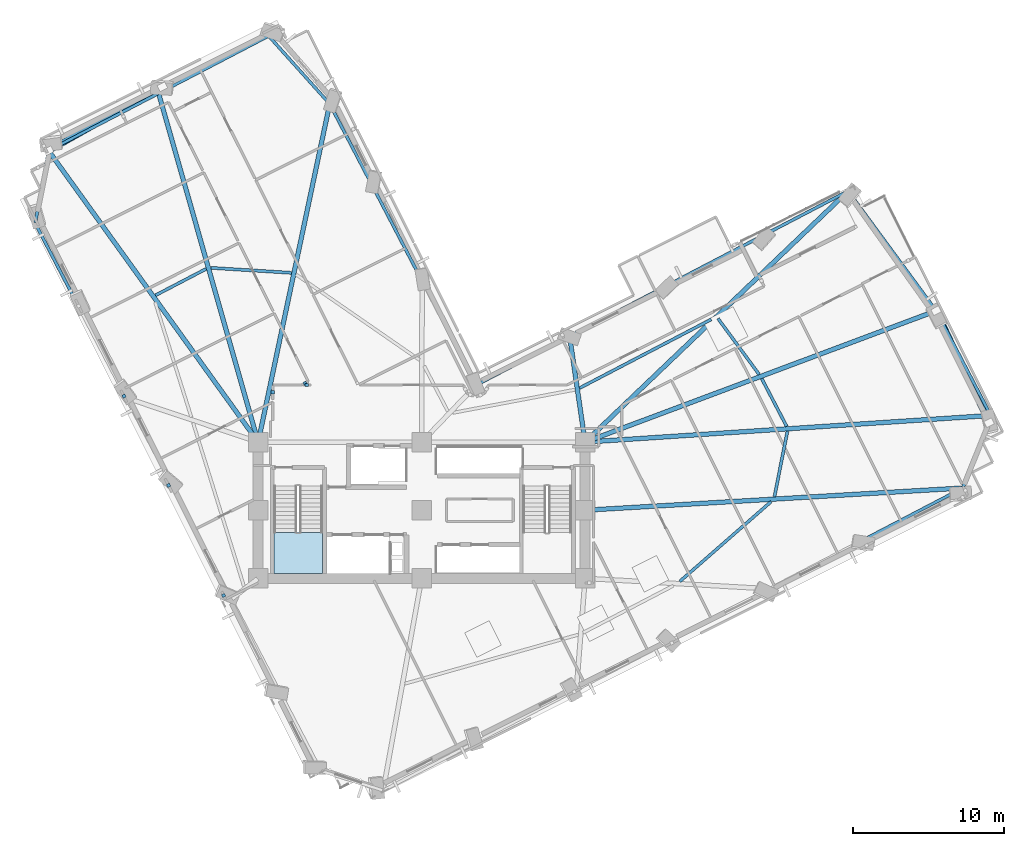
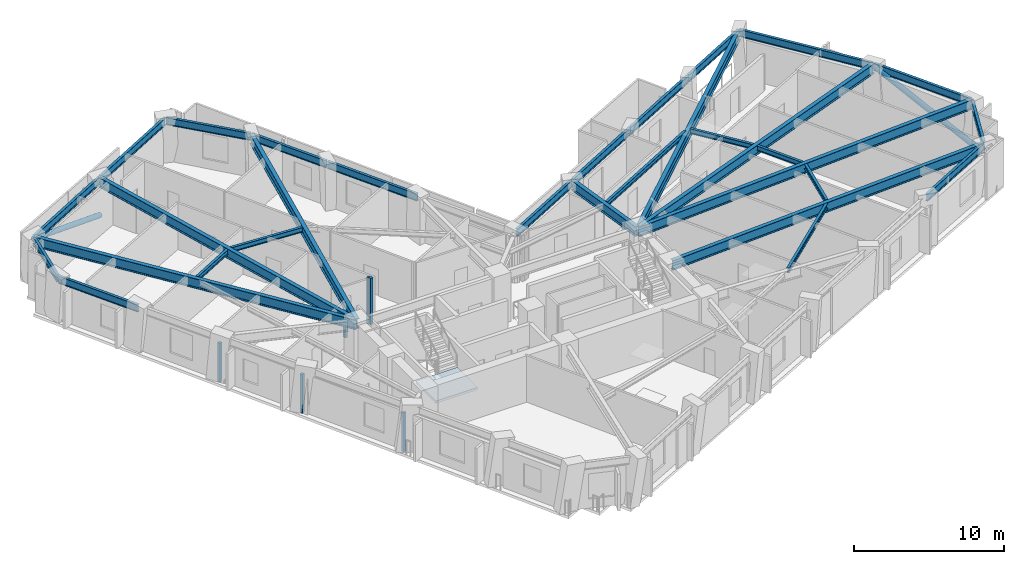
# One storey, part 2 of 16: 30 beams, 6 plates, 2 members, 1 slab, 1 element without a shape of its own.
"""IFC4 building model written with IfcOpenShell, lengths in metres."""

from ifc_helpers import new_model, si_unit, direction, frame, origin, origin_2d, place, context, subcontext, project, spatial, polyline, rectangle, hollow_circle, i_section, outline, extrude, material, layer, layer_set, material_profile, profile_set, type_object, element, aggregate, save


model = new_model("IFC4")

# Units and contexts
model_context = context("Model", 3, precision=1e-05, world=origin(), true_north=direction((0.0, 1.0)))
body_context = subcontext(model_context, "Body", "Model", "MODEL_VIEW")
ifc_project = project(units=[si_unit("LENGTHUNIT", "METRE"), si_unit("AREAUNIT", "SQUARE_METRE"), si_unit("VOLUMEUNIT", "CUBIC_METRE"), si_unit("PLANEANGLEUNIT", "RADIAN"), si_unit("MASSUNIT", "GRAM", prefix="KILO")], contexts=[model_context])

# Site, building, storey
site_placement = place(None, origin())
site = spatial("IfcSite", under=ifc_project, at=site_placement, CompositionType="ELEMENT")
building_placement = place(site_placement, origin())
building = spatial("IfcBuilding", under=site, at=building_placement, Name="Gaonmaruhae Medical Tower", CompositionType="ELEMENT")
storey_placement = place(building_placement, frame((0.0, 0.0, 136.39990234375)))
storey = spatial("IfcBuildingStorey", under=building, at=storey_placement, Name="L32", CompositionType="ELEMENT", Elevation=136.39990234375)

# Beams
ifc_material_1 = material(Name="Steel SM355", Category="steel")
ifc_material_profile_1 = material_profile(ifc_material_1, i_section(OverallWidth=0.199951171875, OverallDepth=0.39990234375, WebThickness=0.008056640625, FlangeThickness=0.012939453125, FilletRadius=0.012939453125, at=origin_2d()), Name="H-400x200x8x13")
ifc_profile_set_1 = profile_set([ifc_material_profile_1], Name="Steel SM355")
beam_type_1 = type_object("IfcBeamType", Name="FJ-01 Lower Zone Ward Floor Joist (H-400x200x8x13)", PredefinedType="JOIST", material=ifc_profile_set_1)
beam_1_placement = place(storey_placement, frame((41.862060546875, 7.59912109375, 3.580078125), z_axis=(0.752897685085, 0.658137581204, 0.0), x_axis=(-0.658137581204, 0.752897685085, 0.0)))
element("IfcBeam", 1, at=beam_1_placement, inside=storey, type_object=beam_type_1, Name="L32 Secondary Floor Joist FJ03", PredefinedType="JOIST", context=body_context, shape_type="SweptSolid", body=[
    extrude(i_section(OverallWidth=0.199951171875, OverallDepth=0.39990234375, WebThickness=0.008056640625, FlangeThickness=0.012939453125, FilletRadius=0.012939453125, at=origin_2d()), origin(), (0.0, 0.0, 1.0), 8.007568359375),
])
beam_2_placement = place(storey_placement, frame((48.11083984375, 13.192138671875, 3.580078125), z_axis=(0.194286990466, 0.98094473103, 0.0), x_axis=(-0.98094473103, 0.194286990466, 0.0)))
element("IfcBeam", 2, at=beam_2_placement, inside=storey, type_object=beam_type_1, Name="L32 Secondary Floor Joist FJ04", PredefinedType="JOIST", context=body_context, shape_type="SweptSolid", body=[
    extrude(i_section(OverallWidth=0.199951171875, OverallDepth=0.39990234375, WebThickness=0.008056640625, FlangeThickness=0.012939453125, FilletRadius=0.012939453125, at=origin_2d()), origin(), (0.0, 0.0, 1.0), 4.415771484375),
])
beam_3_placement = place(storey_placement, frame((48.921630859375, 17.83251953125, 3.580078125), z_axis=(-0.462535648168, 0.886600684736, 0.0), x_axis=(-0.886600684736, -0.462535648168, 0.0)))
element("IfcBeam", 3, at=beam_3_placement, inside=storey, type_object=beam_type_1, Name="L32 Secondary Floor Joist FJ05", PredefinedType="JOIST", context=body_context, shape_type="SweptSolid", body=[
    extrude(i_section(OverallWidth=0.199951171875, OverallDepth=0.39990234375, WebThickness=0.008056640625, FlangeThickness=0.012939453125, FilletRadius=0.012939453125, at=origin_2d()), origin(), (0.0, 0.0, 1.0), 3.572998046875),
])
beam_4_placement = place(storey_placement, frame((47.100341796875, 21.27001953125, 3.580078125), z_axis=(-0.592576318774, 0.805514311746, 0.0), x_axis=(-0.805514311746, -0.592576318774, 0.0)))
element("IfcBeam", 4, at=beam_4_placement, inside=storey, type_object=beam_type_1, Name="L32 Secondary Floor Joist FJ06", PredefinedType="JOIST", context=body_context, shape_type="SweptSolid", body=[
    extrude(i_section(OverallWidth=0.199951171875, OverallDepth=0.39990234375, WebThickness=0.008056640625, FlangeThickness=0.012939453125, FilletRadius=0.012939453125, at=origin_2d()), origin(), (0.0, 0.0, 1.0), 4.58837890625),
])
beam_5_placement = place(storey_placement, frame((43.932861328125, 24.907470703125, 3.580078125), z_axis=(-0.886604371598, -0.462528581023, 0.0), x_axis=(0.462528581023, -0.886604371598, 0.0)))
element("IfcBeam", 5, at=beam_5_placement, inside=storey, type_object=beam_type_1, Name="L32 Secondary Floor Joist FJ07", PredefinedType="JOIST", context=body_context, shape_type="SweptSolid", body=[
    extrude(i_section(OverallWidth=0.199951171875, OverallDepth=0.39990234375, WebThickness=0.008056640625, FlangeThickness=0.012939453125, FilletRadius=0.012939453125, at=origin_2d()), origin(), (0.0, 0.0, 1.0), 9.809326171875),
])
beam_6_placement = place(storey_placement, frame((16.206298828125, 27.983642578125, 3.580078125), z_axis=(-0.998085696676, 0.061846116217, 0.0), x_axis=(-0.061846116217, -0.998085696676, 0.0)))
element("IfcBeam", 6, at=beam_6_placement, inside=storey, type_object=beam_type_1, Name="L32 Secondary Floor Joist FJ11", PredefinedType="JOIST", context=body_context, shape_type="SweptSolid", body=[
    extrude(i_section(OverallWidth=0.199951171875, OverallDepth=0.39990234375, WebThickness=0.008056640625, FlangeThickness=0.012939453125, FilletRadius=0.012939453125, at=origin_2d()), origin(), (0.0, 0.0, 1.0), 5.341064453125),
])
beam_7_placement = place(storey_placement, frame((10.569580078125, 28.25048828125, 3.580078125), z_axis=(-0.88658944862, -0.462557185218, 0.0), x_axis=(0.462557185218, -0.88658944862, 0.0)))
element("IfcBeam", 7, at=beam_7_placement, inside=storey, type_object=beam_type_1, Name="L32 Secondary Floor Joist FJ12", PredefinedType="JOIST", context=body_context, shape_type="SweptSolid", body=[
    extrude(i_section(OverallWidth=0.199951171875, OverallDepth=0.39990234375, WebThickness=0.008056640625, FlangeThickness=0.012939453125, FilletRadius=0.012939453125, at=origin_2d()), origin(), (0.0, 0.0, 1.0), 3.783203125),
])

# Members
ifc_material_2 = material(Name="Steel SM420", Category="steel")
ifc_material_profile_2 = material_profile(ifc_material_2, hollow_circle(Radius=0.203125, WallThickness=0.0126953125, at=origin_2d()), Name="CHS-406.4x12.7")
ifc_profile_set_2 = profile_set([ifc_material_profile_2], Name="Steel SM420")
member_type = type_object("IfcMemberType", Name="PB-02 Perimeter Solid-Bay Tube Brace Mid (CHS-406.4x12.7)", PredefinedType="BRACE", material=ifc_profile_set_2)
member_1_placement = place(storey_placement, frame((62.29296875, 18.0869140625, 0.25), z_axis=(-0.397231708911, 0.838846539433, 0.372214256466), x_axis=(-0.903786456861, -0.427983691739, 0.0)))
element("IfcMember", 8, at=member_1_placement, inside=storey, type_object=member_type, Name="L32 Perimeter Tube Solid-Bay Brace E01-E02", PredefinedType="BRACE", context=body_context, shape_type="SweptSolid", body=[
    extrude(hollow_circle(Radius=0.203125, WallThickness=0.0126953125, at=origin_2d()), origin(), (0.0, 0.0, 1.0), 8.812255859375),
])
member_2_placement = place(storey_placement, frame((7.674560546875, 40.280029296875, 0.25), z_axis=(-0.815025745713, -0.457673389707, 0.355342232473), x_axis=(0.489628362046, -0.871931228412, 0.0)))
element("IfcMember", 9, at=member_2_placement, inside=storey, type_object=member_type, Name="L32 Perimeter Tube Solid-Bay Brace N02-N03", PredefinedType="BRACE", context=body_context, shape_type="SweptSolid", body=[
    extrude(hollow_circle(Radius=0.203125, WallThickness=0.0126953125, at=origin_2d()), origin(), (0.0, 0.0, 1.0), 9.230712890625),
])

# Beams
ifc_material_profile_3 = material_profile(ifc_material_2, i_section(OverallWidth=0.300048828125, OverallDepth=0.800048828125, WebThickness=0.013916015625, FlangeThickness=0.02587890625, FilletRadius=0.01806640625, at=origin_2d()), Name="H-800x300x14x26")
ifc_profile_set_3 = profile_set([ifc_material_profile_3], Name="Steel SM420")
beam_type_2 = type_object("IfcBeamType", Name="PG-02 Zone 2 Radial Floor Girder (H-800x300x14x26)", PredefinedType="BEAM", material=ifc_profile_set_3)
beam_8_placement = place(storey_placement, frame((35.64990234375, 12.302978515625, 3.380126953125), z_axis=(0.998274204139, 0.058724895485, 0.0), x_axis=(-0.058724895485, 0.998274204139, 0.0)))
element("IfcBeam", 10, at=beam_8_placement, inside=storey, type_object=beam_type_2, Name="L32 Radial Primary Girder S07", PredefinedType="BEAM", context=body_context, shape_type="SweptSolid", body=[
    extrude(i_section(OverallWidth=0.300048828125, OverallDepth=0.800048828125, WebThickness=0.013916015625, FlangeThickness=0.02587890625, FilletRadius=0.01806640625, at=origin_2d()), origin(), (0.0, 0.0, 1.0), 24.902587890625),
])
beam_9_placement = place(storey_placement, frame((35.64990234375, 16.80322265625, 3.380126953125), z_axis=(0.997841716323, 0.065665128994, 0.0), x_axis=(-0.065665128994, 0.997841716323, 0.0)))
element("IfcBeam", 11, at=beam_9_placement, inside=storey, type_object=beam_type_2, Name="L32 Radial Primary Girder E01", PredefinedType="BEAM", context=body_context, shape_type="SweptSolid", body=[
    extrude(i_section(OverallWidth=0.300048828125, OverallDepth=0.800048828125, WebThickness=0.013916015625, FlangeThickness=0.02587890625, FilletRadius=0.01806640625, at=origin_2d()), origin(), (0.0, 0.0, 1.0), 26.75830078125),
])
beam_10_placement = place(storey_placement, frame((35.646728515625, 16.817626953125, 3.380126953125), z_axis=(0.936569380521, 0.350482232745, 0.0), x_axis=(-0.350482232745, 0.936569380521, 0.0)))
element("IfcBeam", 12, at=beam_10_placement, inside=storey, type_object=beam_type_2, Name="L32 Radial Primary Girder E02", PredefinedType="BEAM", context=body_context, shape_type="SweptSolid", body=[
    extrude(i_section(OverallWidth=0.300048828125, OverallDepth=0.800048828125, WebThickness=0.013916015625, FlangeThickness=0.02587890625, FilletRadius=0.01806640625, at=origin_2d()), origin(), (0.0, 0.0, 1.0), 24.663330078125),
])
beam_11_placement = place(storey_placement, frame((35.63623046875, 16.83447265625, 3.360107421875), z_axis=(0.723372690291, 0.690457783606, 0.0), x_axis=(-0.690457783606, 0.723372690291, 0.0)))
element("IfcBeam", 13, at=beam_11_placement, inside=storey, type_object=beam_type_2, Name="L32 Radial Primary Girder E03", PredefinedType="BEAM", context=body_context, shape_type="SweptSolid", body=[
    extrude(i_section(OverallWidth=0.300048828125, OverallDepth=0.800048828125, WebThickness=0.013916015625, FlangeThickness=0.02587890625, FilletRadius=0.01806640625, at=origin_2d()), origin(), (0.0, 0.0, 1.0), 23.9208984375),
])
beam_12_placement = place(storey_placement, frame((35.5927734375, 16.849365234375, 3.380126953125), z_axis=(-0.144577282171, 0.989493511591, 0.0), x_axis=(-0.989493511591, -0.144577282171, 0.0)))
element("IfcBeam", 14, at=beam_12_placement, inside=storey, type_object=beam_type_2, Name="L32 Radial Primary Girder EN03", PredefinedType="BEAM", context=body_context, shape_type="SweptSolid", body=[
    extrude(i_section(OverallWidth=0.300048828125, OverallDepth=0.800048828125, WebThickness=0.013916015625, FlangeThickness=0.02587890625, FilletRadius=0.01806640625, at=origin_2d()), origin(), (0.0, 0.0, 1.0), 6.96240234375),
])
beam_13_placement = place(storey_placement, frame((14.01025390625, 16.848876953125, 3.380126953125), z_axis=(0.206958788643, 0.978349661319, 0.0), x_axis=(-0.978349661319, 0.206958788643, 0.0)))
element("IfcBeam", 15, at=beam_13_placement, inside=storey, type_object=beam_type_2, Name="L32 Radial Primary Girder NE03", PredefinedType="BEAM", context=body_context, shape_type="SweptSolid", body=[
    extrude(i_section(OverallWidth=0.300048828125, OverallDepth=0.800048828125, WebThickness=0.013916015625, FlangeThickness=0.02587890625, FilletRadius=0.01806640625, at=origin_2d()), origin(), (0.0, 0.0, 1.0), 22.74267578125),
])
beam_14_placement = place(storey_placement, frame((13.986328125, 16.84814453125, 3.380126953125), z_axis=(-0.274472545983, 0.961594936291, 0.0), x_axis=(-0.961594936291, -0.274472545983, 0.0)))
element("IfcBeam", 16, at=beam_14_placement, inside=storey, type_object=beam_type_2, Name="L32 Radial Primary Girder N02", PredefinedType="BEAM", context=body_context, shape_type="SweptSolid", body=[
    extrude(i_section(OverallWidth=0.300048828125, OverallDepth=0.800048828125, WebThickness=0.013916015625, FlangeThickness=0.02587890625, FilletRadius=0.01806640625, at=origin_2d()), origin(), (0.0, 0.0, 1.0), 23.86865234375),
])
beam_15_placement = place(storey_placement, frame((13.970703125, 16.840576171875, 3.380126953125), z_axis=(-0.583880113865, 0.811839893472, 0.0), x_axis=(-0.811839893472, -0.583880113865, 0.0)))
element("IfcBeam", 17, at=beam_15_placement, inside=storey, type_object=beam_type_2, Name="L32 Radial Primary Girder N03", PredefinedType="BEAM", context=body_context, shape_type="SweptSolid", body=[
    extrude(i_section(OverallWidth=0.300048828125, OverallDepth=0.800048828125, WebThickness=0.013916015625, FlangeThickness=0.02587890625, FilletRadius=0.01806640625, at=origin_2d()), origin(), (0.0, 0.0, 1.0), 23.618408203125),
])
ifc_material_profile_4 = material_profile(ifc_material_1, i_section(OverallWidth=0.199951171875, OverallDepth=0.60009765625, WebThickness=0.010986328125, FlangeThickness=0.01708984375, FilletRadius=0.012939453125, at=origin_2d()), Name="H-600x200x11x17")
ifc_profile_set_4 = profile_set([ifc_material_profile_4], Name="Steel SM355")
beam_type_3 = type_object("IfcBeamType", Name="SP-01 Lower Perimeter Spandrel Beam (H-600x200x11x17)", PredefinedType="SPANDREL", material=ifc_profile_set_4)
beam_16_placement = place(storey_placement, frame((54.211181640625, 10.456787109375, 3.47998046875), z_axis=(0.886607466593, 0.462522648291, 0.0), x_axis=(-0.462522648291, 0.886607466593, 0.0)))
element("IfcBeam", 18, at=beam_16_placement, inside=storey, type_object=beam_type_3, Name="L32 Perimeter Spandrel Beam S06-S07", PredefinedType="SPANDREL", context=body_context, shape_type="SweptSolid", body=[
    extrude(i_section(OverallWidth=0.199951171875, OverallDepth=0.60009765625, WebThickness=0.010986328125, FlangeThickness=0.01708984375, FilletRadius=0.012939453125, at=origin_2d()), origin(), (0.0, 0.0, 1.0), 7.1201171875),
])
beam_17_placement = place(storey_placement, frame((60.57373046875, 13.8056640625, 3.47998046875), z_axis=(0.358409564039, 0.933564451125, 0.0), x_axis=(-0.933564451125, 0.358409564039, 0.0)))
element("IfcBeam", 19, at=beam_17_placement, inside=storey, type_object=beam_type_3, Name="L32 Perimeter Spandrel Beam S07-E01", PredefinedType="SPANDREL", context=body_context, shape_type="SweptSolid", body=[
    extrude(i_section(OverallWidth=0.199951171875, OverallDepth=0.60009765625, WebThickness=0.010986328125, FlangeThickness=0.01708984375, FilletRadius=0.012939453125, at=origin_2d()), origin(), (0.0, 0.0, 1.0), 5.056396484375),
])
beam_18_placement = place(storey_placement, frame((62.381591796875, 18.59912109375, 3.47998046875), z_axis=(-0.462517370043, 0.886610220113, 0.0), x_axis=(-0.886610220113, -0.462517370043, 0.0)))
element("IfcBeam", 20, at=beam_18_placement, inside=storey, type_object=beam_type_3, Name="L32 Perimeter Spandrel Beam E01-E02", PredefinedType="SPANDREL", context=body_context, shape_type="SweptSolid", body=[
    extrude(i_section(OverallWidth=0.199951171875, OverallDepth=0.60009765625, WebThickness=0.010986328125, FlangeThickness=0.01708984375, FilletRadius=0.012939453125, at=origin_2d()), origin(), (0.0, 0.0, 1.0), 7.7197265625),
])
beam_19_placement = place(storey_placement, frame((58.768798828125, 25.51123046875, 3.47998046875), z_axis=(-0.59257953568, 0.805511945221, 0.0), x_axis=(-0.805511945221, -0.59257953568, 0.0)))
element("IfcBeam", 21, at=beam_19_placement, inside=storey, type_object=beam_type_3, Name="L32 Perimeter Spandrel Beam E02-E03", PredefinedType="SPANDREL", context=body_context, shape_type="SweptSolid", body=[
    extrude(i_section(OverallWidth=0.199951171875, OverallDepth=0.60009765625, WebThickness=0.010986328125, FlangeThickness=0.01708984375, FilletRadius=0.012939453125, at=origin_2d()), origin(), (0.0, 0.0, 1.0), 9.735595703125),
])
beam_20_placement = place(storey_placement, frame((52.940673828125, 33.366943359375, 3.460205078125), z_axis=(-0.886600813953, -0.462535400481, 0.0), x_axis=(0.462535400481, -0.886600813953, 0.0)))
element("IfcBeam", 22, at=beam_20_placement, inside=storey, type_object=beam_type_3, Name="L32 Perimeter Spandrel Beam E03-EN01", PredefinedType="SPANDREL", context=body_context, shape_type="SweptSolid", body=[
    extrude(i_section(OverallWidth=0.199951171875, OverallDepth=0.60009765625, WebThickness=0.010986328125, FlangeThickness=0.01708984375, FilletRadius=0.012939453125, at=origin_2d()), origin(), (0.0, 0.0, 1.0), 6.27001953125),
])
for number, where, z_axis, x_axis, name in (
    (23, (47.310791015625, 30.429931640625, 3.460205078125), (-0.886607466593, -0.462522648291, 0.0), (0.462522648291, -0.886607466593, 0.0), "L32 Perimeter Spandrel Beam EN01-EN02"),
    (24, (40.92724609375, 27.099853515625, 3.47998046875), (-0.886607466593, -0.462522648291, 0.0), (0.462522648291, -0.886607466593, 0.0), "L32 Perimeter Spandrel Beam EN02-EN03"),
):
    element("IfcBeam", number, at=place(storey_placement, frame(where, z_axis=z_axis, x_axis=x_axis)), inside=storey, type_object=beam_type_3, Name=name, PredefinedType="SPANDREL", context=body_context, shape_type="SweptSolid", body=[
        extrude(i_section(OverallWidth=0.199951171875, OverallDepth=0.60009765625, WebThickness=0.010986328125, FlangeThickness=0.01708984375, FilletRadius=0.012939453125, at=origin_2d()), origin(), (0.0, 0.0, 1.0), 7.1201171875),
    ])
beam_21_placement = place(storey_placement, frame((34.543701171875, 23.76953125, 3.47998046875), z_axis=(-0.886612091405, -0.462513782902, 0.0), x_axis=(0.462513782902, -0.886612091405, 0.0)))
element("IfcBeam", 25, at=beam_21_placement, inside=storey, type_object=beam_type_3, Name="L32 Perimeter Spandrel Beam EN03-KN01", PredefinedType="SPANDREL", context=body_context, shape_type="SweptSolid", body=[
    extrude(i_section(OverallWidth=0.199951171875, OverallDepth=0.60009765625, WebThickness=0.010986328125, FlangeThickness=0.01708984375, FilletRadius=0.012939453125, at=origin_2d()), origin(), (0.0, 0.0, 1.0), 6.8701171875),
])
beam_22_placement = place(storey_placement, frame((24.81396484375, 27.480224609375, 3.47998046875), z_axis=(-0.462495694097, 0.886621527452, 0.0), x_axis=(-0.886621527452, -0.462495694097, 0.0)))
element("IfcBeam", 26, at=beam_22_placement, inside=storey, type_object=beam_type_3, Name="L32 Perimeter Spandrel Beam NE01-NE02", PredefinedType="SPANDREL", context=body_context, shape_type="SweptSolid", body=[
    extrude(i_section(OverallWidth=0.199951171875, OverallDepth=0.60009765625, WebThickness=0.010986328125, FlangeThickness=0.01708984375, FilletRadius=0.012939453125, at=origin_2d()), origin(), (0.0, 0.0, 1.0), 7.1201171875),
])
beam_23_placement = place(storey_placement, frame((21.48388671875, 33.86376953125, 3.47998046875), z_axis=(-0.462505401967, 0.886616463388, 0.0), x_axis=(-0.886616463388, -0.462505401967, 0.0)))
element("IfcBeam", 27, at=beam_23_placement, inside=storey, type_object=beam_type_3, Name="L32 Perimeter Spandrel Beam NE02-NE03", PredefinedType="SPANDREL", context=body_context, shape_type="SweptSolid", body=[
    extrude(i_section(OverallWidth=0.199951171875, OverallDepth=0.60009765625, WebThickness=0.010986328125, FlangeThickness=0.01708984375, FilletRadius=0.012939453125, at=origin_2d()), origin(), (0.0, 0.0, 1.0), 5.919921875),
])
beam_24_placement = place(storey_placement, frame((18.700439453125, 39.177734375, 3.47998046875), z_axis=(-0.668237842903, 0.743947703345, 0.0), x_axis=(-0.743947703345, -0.668237842903, 0.0)))
element("IfcBeam", 28, at=beam_24_placement, inside=storey, type_object=beam_type_3, Name="L32 Perimeter Spandrel Beam NE03-N01", PredefinedType="SPANDREL", context=body_context, shape_type="SweptSolid", body=[
    extrude(i_section(OverallWidth=0.199951171875, OverallDepth=0.60009765625, WebThickness=0.010986328125, FlangeThickness=0.01708984375, FilletRadius=0.012939453125, at=origin_2d()), origin(), (0.0, 0.0, 1.0), 5.959228515625),
])
beam_25_placement = place(storey_placement, frame((14.65625, 43.622314453125, 3.47998046875), z_axis=(-0.886616473711, -0.462505382179, 0.0), x_axis=(0.462505382179, -0.886616473711, 0.0)))
element("IfcBeam", 29, at=beam_25_placement, inside=storey, type_object=beam_type_3, Name="L32 Perimeter Spandrel Beam N01-N02", PredefinedType="SPANDREL", context=body_context, shape_type="SweptSolid", body=[
    extrude(i_section(OverallWidth=0.199951171875, OverallDepth=0.60009765625, WebThickness=0.010986328125, FlangeThickness=0.01708984375, FilletRadius=0.012939453125, at=origin_2d()), origin(), (0.0, 0.0, 1.0), 8.1201171875),
])
beam_26_placement = place(storey_placement, frame((7.385986328125, 39.82958984375, 3.47998046875), z_axis=(-0.886610041997, -0.462517711477, 0.0), x_axis=(0.462517711477, -0.886610041997, 0.0)))
element("IfcBeam", 30, at=beam_26_placement, inside=storey, type_object=beam_type_3, Name="L32 Perimeter Spandrel Beam N02-N03", PredefinedType="SPANDREL", context=body_context, shape_type="SweptSolid", body=[
    extrude(i_section(OverallWidth=0.199951171875, OverallDepth=0.60009765625, WebThickness=0.010986328125, FlangeThickness=0.01708984375, FilletRadius=0.012939453125, at=origin_2d()), origin(), (0.0, 0.0, 1.0), 8.119873046875),
])
beam_27_placement = place(storey_placement, frame((0.14404296875, 36.01611328125, 3.47998046875), z_axis=(-0.180129418868, -0.983642919183, 0.0), x_axis=(0.983642919183, -0.180129418868, 0.0)))
element("IfcBeam", 31, at=beam_27_placement, inside=storey, type_object=beam_type_3, Name="L32 Perimeter Spandrel Beam N03-W01", PredefinedType="SPANDREL", context=body_context, shape_type="SweptSolid", body=[
    extrude(i_section(OverallWidth=0.199951171875, OverallDepth=0.60009765625, WebThickness=0.010986328125, FlangeThickness=0.01708984375, FilletRadius=0.012939453125, at=origin_2d()), origin(), (0.0, 0.0, 1.0), 4.80078125),
])
beam_28_placement = place(storey_placement, frame((-0.70947265625, 31.218994140625, 3.47998046875), z_axis=(0.462552804792, -0.88659173399, 0.0), x_axis=(0.88659173399, 0.462552804792, 0.0)))
element("IfcBeam", 32, at=beam_28_placement, inside=storey, type_object=beam_type_3, Name="L32 Perimeter Spandrel Beam W01-W02", PredefinedType="SPANDREL", context=body_context, shape_type="SweptSolid", body=[
    extrude(i_section(OverallWidth=0.199951171875, OverallDepth=0.60009765625, WebThickness=0.010986328125, FlangeThickness=0.01708984375, FilletRadius=0.012939453125, at=origin_2d()), origin(), (0.0, 0.0, 1.0), 6.320068359375),
])

# Plates
ifc_material_3 = material(Name="Anodised aluminium 6063-T6", Category="aluminium")
ifc_layer_1 = layer(ifc_material_3, 0.011962890625)
ifc_layer_set_1 = layer_set([ifc_layer_1], Name="Anodised aluminium 6063-T6")
plate_type = type_object("IfcPlateType", Name="PP-01 Interior Partition Corner Stiffener Plate", PredefinedType="SHEET", material=ifc_layer_set_1)
for number, where, z_axis, x_axis, name in (
    (33, (11.720458984375, 6.672607421875, 0.0), (0.0, 0.0, 1.0), (-0.447930744876, 0.894068256787, 0.0), "L32 Partition Corner Stiffener Plate PLT-L32-JGP-PW036"),
    (34, (8.07861328125, 13.945556640625, 0.0), (0.0, 0.0, 1.0), (-0.448430016903, 0.893817945636, 0.0), "L32 Partition Corner Stiffener Plate PLT-L32-JGP-PW041"),
):
    element("IfcPlate", number, at=place(storey_placement, frame(where, z_axis=z_axis, x_axis=x_axis)), inside=storey, type_object=plate_type, Name=name, PredefinedType="SHEET", context=body_context, shape_type="SweptSolid", body=[
        extrude(rectangle(XDim=0.219970703125, YDim=0.219970703125, at=origin_2d()), origin(), (0.0, 0.0, 1.0), 3.1650390625),
    ])
plate_1_placement = place(storey_placement, frame((14.969970703125, 20.0849609375, 0.0), z_axis=(0.0, 0.0, 1.0), x_axis=(0.0, -1.0, 0.0)))
element("IfcPlate", 35, at=plate_1_placement, inside=storey, type_object=plate_type, Name="L32 Partition Corner Stiffener Plate PLT-L32-JGP-PW044", PredefinedType="SHEET", context=body_context, shape_type="SweptSolid", body=[
    extrude(rectangle(XDim=0.219970703125, YDim=0.219970703125, at=origin_2d()), origin(), (0.0, 0.0, 1.0), 2.965087890625),
])
plate_2_placement = place(storey_placement, frame((5.12646484375, 19.841064453125, 0.0), z_axis=(0.0, 0.0, 1.0), x_axis=(-0.44721279659, 0.894427590455, 0.0)))
element("IfcPlate", 36, at=plate_2_placement, inside=storey, type_object=plate_type, Name="L32 Partition Corner Stiffener Plate PLT-L32-JGP-PW045", PredefinedType="SHEET", context=body_context, shape_type="SweptSolid", body=[
    extrude(rectangle(XDim=0.219970703125, YDim=0.219970703125, at=origin_2d()), origin(), (0.0, 0.0, 1.0), 3.1650390625),
])
for number, where, z_axis, x_axis, name in (
    (37, (17.10302734375, 20.68798828125, 0.0), (0.0, 0.0, 1.0), (-0.894427590455, -0.44721279659, 0.0), "L32 Partition Corner Stiffener Plate PLT-L32-JGP-PW048"),
    (38, (17.218994140625, 20.580078125, 0.0), (0.0, 0.0, 1.0), (-1.0, 0.0, 0.0), "L32 Partition Corner Stiffener Plate PLT-L32-JGP-PW101"),
):
    element("IfcPlate", number, at=place(storey_placement, frame(where, z_axis=z_axis, x_axis=x_axis)), inside=storey, type_object=plate_type, Name=name, PredefinedType="SHEET", context=body_context, shape_type="SweptSolid", body=[
        extrude(rectangle(XDim=0.219970703125, YDim=0.219970703125, at=origin_2d()), origin(), (0.0, 0.0, 1.0), 3.780029296875),
    ])

# Stair, slab
ifc_material_4 = material(Name="Concrete C40/50", Category="concrete")
stair_type = type_object("IfcStairType", Name="ST-T1 Primary Core Escape Dogleg Stair", PredefinedType="TWO_QUARTER_TURN_STAIR", material=ifc_material_4)
stair_placement = place(storey_placement, origin())
stair = element("IfcStair", 39, at=stair_placement, inside=storey, type_object=stair_type, Name="L32 Protected Escape Stair ST-01", PredefinedType="TWO_QUARTER_TURN_STAIR")
ifc_layer_2 = layer(ifc_material_4, 0.199951171875)
ifc_layer_set_2 = layer_set([ifc_layer_2], Name="Concrete C40/50")
slab_type = type_object("IfcSlabType", Name="SL-200 Stair & Ramp Intermediate Concrete Landing", PredefinedType="LANDING", material=ifc_layer_set_2)
slab_placement = place(storey_placement, frame((0.0, 0.0, 1.800048828125)))
slab = element("IfcSlab", 40, at=slab_placement, type_object=slab_type, Name="ST-01 landing 1", PredefinedType="LANDING", context=body_context, shape_type="SweptSolid", body=[
    extrude(outline(polyline([(15.050048828125, 10.820068359375), (15.050048828125, 8.12890625), (18.25, 8.12890625), (18.25, 10.820068359375), (15.050048828125, 10.820068359375)])), origin(), (0.0, 0.0, 1.0), 0.199951171875),
])
aggregate(stair, [slab])

save(model, "model.ifc")
